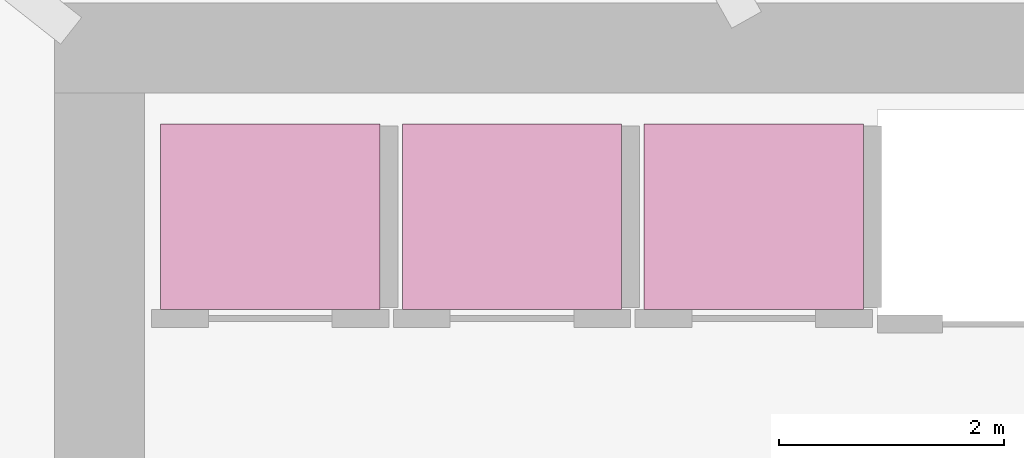
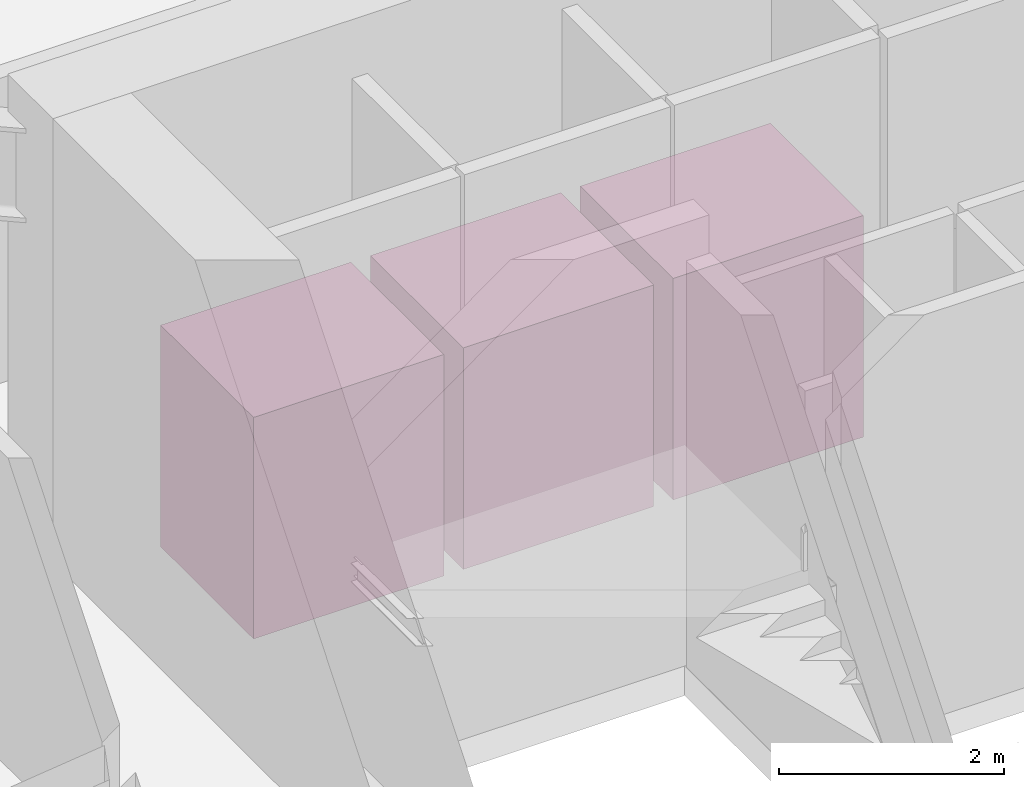
# One storey, part 16 of 16: 3 transport elements.
"""IFC4 building model written with IfcOpenShell, lengths in metres."""

from ifc_helpers import new_model, si_unit, direction, frame, origin, origin_2d, place, context, subcontext, project, spatial, rectangle, extrude, material, type_object, element, save


model = new_model("IFC4")

# Units and contexts
model_context = context("Model", 3, precision=1e-05, world=origin(), true_north=direction((0.0, 1.0)))
body_context = subcontext(model_context, "Body", "Model", "MODEL_VIEW")
ifc_project = project(units=[si_unit("LENGTHUNIT", "METRE"), si_unit("AREAUNIT", "SQUARE_METRE"), si_unit("VOLUMEUNIT", "CUBIC_METRE"), si_unit("PLANEANGLEUNIT", "RADIAN"), si_unit("MASSUNIT", "GRAM", prefix="KILO")], contexts=[model_context])

# Site, building, storey
site_placement = place(None, origin())
site = spatial("IfcSite", under=ifc_project, at=site_placement, CompositionType="ELEMENT")
building_placement = place(site_placement, origin())
building = spatial("IfcBuilding", under=site, at=building_placement, Name="Kazma Halo Residences", CompositionType="ELEMENT")
storey_placement = place(building_placement, frame((0.0, 0.0, 123.0)))
storey = spatial("IfcBuildingStorey", under=building, at=storey_placement, Name="L30", CompositionType="ELEMENT", Elevation=123.0)

# Transport elements
ifc_material = material(Name="Brushed Stainless Steel Cab", Category="steel")
transport_element_type = type_object("IfcTransportElementType", Name="LFT-PASS-MID", PredefinedType="ELEVATOR", material=ifc_material)
for number, where, z_axis, x_axis, name in (
    (1, (38.919921875, 48.89990234375, 0.0), (0.0, 0.0, 1.0), (1.0, 0.0, 0.0), "Elevator PM-01"),
    (2, (41.070068359375, 48.89990234375, 0.0), (0.0, 0.0, 1.0), (1.0, 0.0, 0.0), "Elevator PM-02"),
    (3, (43.219970703125, 48.89990234375, 0.0), (0.0, 0.0, 1.0), (1.0, 0.0, 0.0), "Elevator PM-03"),
):
    element("IfcTransportElement", number, at=place(storey_placement, frame(where, z_axis=z_axis, x_axis=x_axis)), inside=storey, type_object=transport_element_type, Name=name, PredefinedType="ELEVATOR", context=body_context, shape_type="SweptSolid", body=[
        extrude(rectangle(XDim=1.949951171875, YDim=1.64990234375, at=origin_2d()), origin(), (0.0, 0.0, 1.0), 2.39990234375),
    ])

save(model, "model.ifc")
